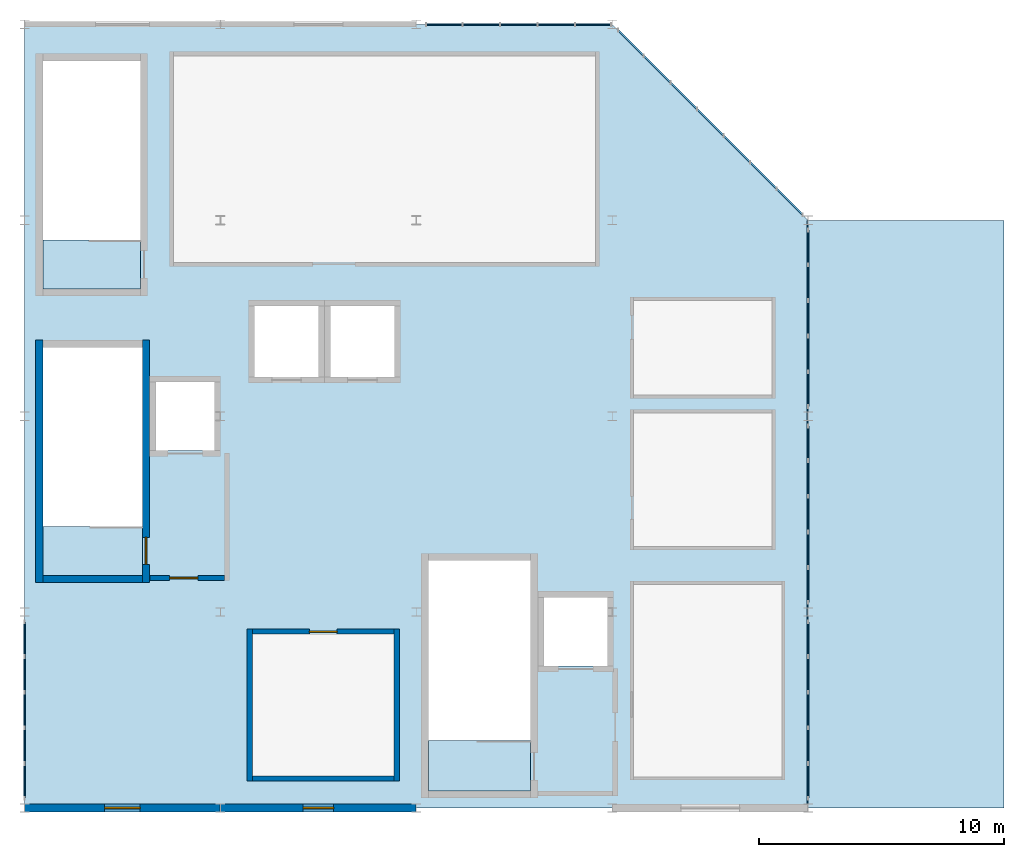
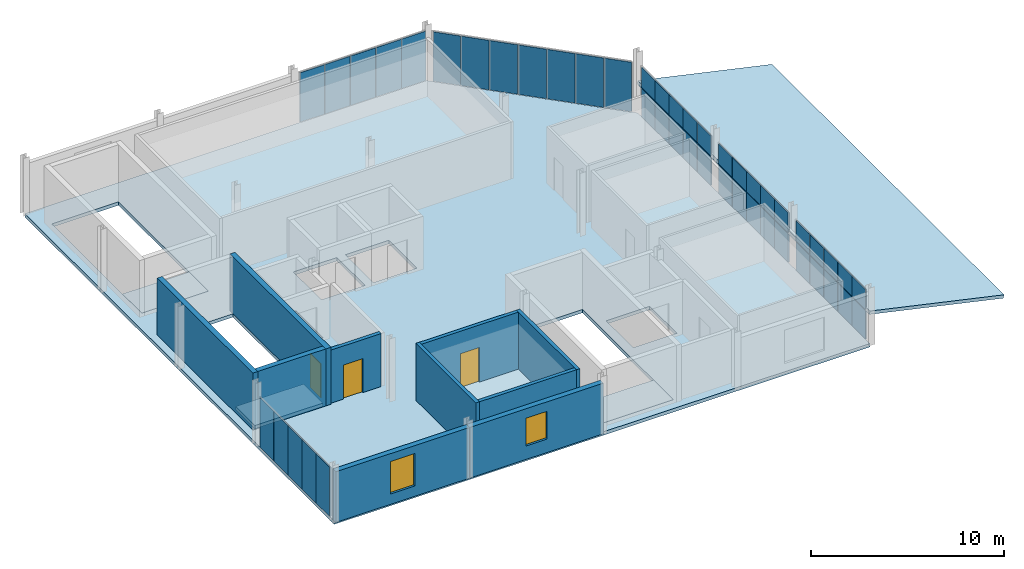
# One storey, part 4 of 7: 32 plates, 10 walls, 5 slabs, 3 doors, 2 windows, 5 openings, 6 elements without a shape of their own.
"""IFC4 building model written with IfcOpenShell, lengths in metres."""

from ifc_helpers import new_model, si_unit, direction, frame, frame_2d, origin, origin_2d, place, context, subcontext, project, spatial, polyline, rectangle, outline, extrude, material, layer, layer_set, type_object, element, fill, aggregate, save


model = new_model("IFC4")

# Units and contexts
model_context = context("Model", 3, precision=1e-05, world=origin(), true_north=direction((0.0, 1.0)))
body_context = subcontext(model_context, "Body", "Model", "MODEL_VIEW")
ifc_project = project(units=[si_unit("LENGTHUNIT", "METRE"), si_unit("AREAUNIT", "SQUARE_METRE"), si_unit("VOLUMEUNIT", "CUBIC_METRE"), si_unit("PLANEANGLEUNIT", "RADIAN"), si_unit("MASSUNIT", "GRAM", prefix="KILO")], contexts=[model_context])

# Site, building, storey
site_placement = place(None, origin())
site = spatial("IfcSite", under=ifc_project, at=site_placement, CompositionType="ELEMENT")
building_placement = place(site_placement, origin())
building = spatial("IfcBuilding", under=site, at=building_placement, Name="Drelvath Fold Interchange", CompositionType="ELEMENT")
storey_placement = place(building_placement, frame((0.0, 0.0, 24.0)))
storey = spatial("IfcBuildingStorey", under=building, at=storey_placement, Name="L05", CompositionType="ELEMENT", Elevation=24.0)

# Curtain wall, plates
ifc_material_1 = material(Name="Anodized Aluminium 6063-T6", Category="aluminium")
curtain_wall_type_1 = type_object("IfcCurtainWallType", Name="CW-OPS-UPP", PredefinedType="USERDEFINED", material=ifc_material_1)
curtain_wall_1_placement = place(storey_placement, origin())
curtain_wall_1 = element("IfcCurtainWall", 1, at=curtain_wall_1_placement, inside=storey, type_object=curtain_wall_type_1, Name="Curtain wall CW-V5-L05-W3", ObjectType="UNITISED CURTAIN WALL", PredefinedType="USERDEFINED")
ifc_material_2 = material(Name="Low-Iron Insulated Laminated Glass", Category="glass")
ifc_layer_1 = layer(ifc_material_2, 0.068115234375, Name="Low-Iron Insulated Laminated Glass")
ifc_layer_set_1 = layer_set([ifc_layer_1], Name="Low-Iron Insulated Laminated Glass")
plate_type = type_object("IfcPlateType", Name="CP-OPS-A", PredefinedType="CURTAIN_PANEL", material=ifc_layer_set_1)
plate_1_placement = place(storey_placement, frame((4.0, 4.10791015625, 0.0400390625), z_axis=(0.0, 0.0, 1.0), x_axis=(0.0, 1.0, 0.0)))
plate_1 = element("IfcPlate", 2, at=plate_1_placement, type_object=plate_type, Name="CW-V5-L05-W3 glazed panel 0-0", PredefinedType="CURTAIN_PANEL", context=body_context, shape_type="SweptSolid", body=[
    extrude(rectangle(XDim=1.39599609375, YDim=0.068115234375, at=origin_2d()), origin(), (0.0, 0.0, 1.0), 3.1201171875),
])
plate_2_placement = place(storey_placement, frame((4.0, 5.5439453125, 0.0400390625), z_axis=(0.0, 0.0, 1.0), x_axis=(0.0, 1.0, 0.0)))
plate_2 = element("IfcPlate", 3, at=plate_2_placement, type_object=plate_type, Name="CW-V5-L05-W3 glazed panel 1-0", PredefinedType="CURTAIN_PANEL", context=body_context, shape_type="SweptSolid", body=[
    extrude(rectangle(XDim=1.43603515625, YDim=0.068115234375, at=origin_2d()), origin(), (0.0, 0.0, 1.0), 3.1201171875),
])
plate_3_placement = place(storey_placement, frame((4.0, 7.0, 0.0400390625), z_axis=(0.0, 0.0, 1.0), x_axis=(0.0, 1.0, 0.0)))
plate_3 = element("IfcPlate", 4, at=plate_3_placement, type_object=plate_type, Name="CW-V5-L05-W3 glazed panel 2-0", PredefinedType="CURTAIN_PANEL", context=body_context, shape_type="SweptSolid", body=[
    extrude(rectangle(XDim=1.43603515625, YDim=0.068115234375, at=origin_2d()), origin(), (0.0, 0.0, 1.0), 3.1201171875),
])
plate_4_placement = place(storey_placement, frame((4.0, 8.4560546875, 0.0400390625), z_axis=(0.0, 0.0, 1.0), x_axis=(0.0, 1.0, 0.0)))
plate_4 = element("IfcPlate", 5, at=plate_4_placement, type_object=plate_type, Name="CW-V5-L05-W3 glazed panel 3-0", PredefinedType="CURTAIN_PANEL", context=body_context, shape_type="SweptSolid", body=[
    extrude(rectangle(XDim=1.43603515625, YDim=0.068115234375, at=origin_2d()), origin(), (0.0, 0.0, 1.0), 3.1201171875),
])
plate_5_placement = place(storey_placement, frame((4.0, 9.89208984375, 0.0400390625), z_axis=(0.0, 0.0, 1.0), x_axis=(0.0, 1.0, 0.0)))
plate_5 = element("IfcPlate", 6, at=plate_5_placement, type_object=plate_type, Name="CW-V5-L05-W3 glazed panel 4-0", PredefinedType="CURTAIN_PANEL", context=body_context, shape_type="SweptSolid", body=[
    extrude(rectangle(XDim=1.39599609375, YDim=0.068115234375, at=origin_2d()), origin(), (0.0, 0.0, 1.0), 3.1201171875),
])
aggregate(curtain_wall_1, [plate_1, plate_2, plate_3, plate_4, plate_5])

curtain_wall_2_placement = place(storey_placement, origin())
curtain_wall_2 = element("IfcCurtainWall", 7, at=curtain_wall_2_placement, inside=storey, type_object=curtain_wall_type_1, Name="Curtain wall CW-V5-L05-E3", ObjectType="UNITISED CURTAIN WALL", PredefinedType="USERDEFINED")
plate_6_placement = place(storey_placement, frame((36.0, 4.10791015625, 0.0400390625), z_axis=(0.0, 0.0, 1.0), x_axis=(0.0, 1.0, 0.0)))
plate_6 = element("IfcPlate", 8, at=plate_6_placement, type_object=plate_type, Name="CW-V5-L05-E3 glazed panel 0-0", PredefinedType="CURTAIN_PANEL", context=body_context, shape_type="SweptSolid", body=[
    extrude(rectangle(XDim=1.39599609375, YDim=0.068115234375, at=origin_2d()), origin(), (0.0, 0.0, 1.0), 3.1201171875),
])
plate_7_placement = place(storey_placement, frame((36.0, 5.5439453125, 0.0400390625), z_axis=(0.0, 0.0, 1.0), x_axis=(0.0, 1.0, 0.0)))
plate_7 = element("IfcPlate", 9, at=plate_7_placement, type_object=plate_type, Name="CW-V5-L05-E3 glazed panel 1-0", PredefinedType="CURTAIN_PANEL", context=body_context, shape_type="SweptSolid", body=[
    extrude(rectangle(XDim=1.43603515625, YDim=0.068115234375, at=origin_2d()), origin(), (0.0, 0.0, 1.0), 3.1201171875),
])
plate_8_placement = place(storey_placement, frame((36.0, 7.0, 0.0400390625), z_axis=(0.0, 0.0, 1.0), x_axis=(0.0, 1.0, 0.0)))
plate_8 = element("IfcPlate", 10, at=plate_8_placement, type_object=plate_type, Name="CW-V5-L05-E3 glazed panel 2-0", PredefinedType="CURTAIN_PANEL", context=body_context, shape_type="SweptSolid", body=[
    extrude(rectangle(XDim=1.43603515625, YDim=0.068115234375, at=origin_2d()), origin(), (0.0, 0.0, 1.0), 3.1201171875),
])
plate_9_placement = place(storey_placement, frame((36.0, 8.4560546875, 0.0400390625), z_axis=(0.0, 0.0, 1.0), x_axis=(0.0, 1.0, 0.0)))
plate_9 = element("IfcPlate", 11, at=plate_9_placement, type_object=plate_type, Name="CW-V5-L05-E3 glazed panel 3-0", PredefinedType="CURTAIN_PANEL", context=body_context, shape_type="SweptSolid", body=[
    extrude(rectangle(XDim=1.43603515625, YDim=0.068115234375, at=origin_2d()), origin(), (0.0, 0.0, 1.0), 3.1201171875),
])
plate_10_placement = place(storey_placement, frame((36.0, 9.89208984375, 0.0400390625), z_axis=(0.0, 0.0, 1.0), x_axis=(0.0, 1.0, 0.0)))
plate_10 = element("IfcPlate", 12, at=plate_10_placement, type_object=plate_type, Name="CW-V5-L05-E3 glazed panel 4-0", PredefinedType="CURTAIN_PANEL", context=body_context, shape_type="SweptSolid", body=[
    extrude(rectangle(XDim=1.39599609375, YDim=0.068115234375, at=origin_2d()), origin(), (0.0, 0.0, 1.0), 3.1201171875),
])
aggregate(curtain_wall_2, [plate_6, plate_7, plate_8, plate_9, plate_10])

curtain_wall_3_placement = place(storey_placement, origin())
curtain_wall_3 = element("IfcCurtainWall", 13, at=curtain_wall_3_placement, inside=storey, type_object=curtain_wall_type_1, Name="Curtain wall CW-V5-L05-E11", ObjectType="UNITISED CURTAIN WALL", PredefinedType="USERDEFINED")
plate_11_placement = place(storey_placement, frame((36.0, 12.10791015625, 0.0400390625), z_axis=(0.0, 0.0, 1.0), x_axis=(0.0, 1.0, 0.0)))
plate_11 = element("IfcPlate", 14, at=plate_11_placement, type_object=plate_type, Name="CW-V5-L05-E11 glazed panel 0-0", PredefinedType="CURTAIN_PANEL", context=body_context, shape_type="SweptSolid", body=[
    extrude(rectangle(XDim=1.39599609375, YDim=0.068115234375, at=origin_2d()), origin(), (0.0, 0.0, 1.0), 3.1201171875),
])
plate_12_placement = place(storey_placement, frame((36.0, 13.5439453125, 0.0400390625), z_axis=(0.0, 0.0, 1.0), x_axis=(0.0, 1.0, 0.0)))
plate_12 = element("IfcPlate", 15, at=plate_12_placement, type_object=plate_type, Name="CW-V5-L05-E11 glazed panel 1-0", PredefinedType="CURTAIN_PANEL", context=body_context, shape_type="SweptSolid", body=[
    extrude(rectangle(XDim=1.43603515625, YDim=0.068115234375, at=origin_2d()), origin(), (0.0, 0.0, 1.0), 3.1201171875),
])
plate_13_placement = place(storey_placement, frame((36.0, 15.0, 0.0400390625), z_axis=(0.0, 0.0, 1.0), x_axis=(0.0, 1.0, 0.0)))
plate_13 = element("IfcPlate", 16, at=plate_13_placement, type_object=plate_type, Name="CW-V5-L05-E11 glazed panel 2-0", PredefinedType="CURTAIN_PANEL", context=body_context, shape_type="SweptSolid", body=[
    extrude(rectangle(XDim=1.43603515625, YDim=0.068115234375, at=origin_2d()), origin(), (0.0, 0.0, 1.0), 3.1201171875),
])
plate_14_placement = place(storey_placement, frame((36.0, 16.4560546875, 0.0400390625), z_axis=(0.0, 0.0, 1.0), x_axis=(0.0, 1.0, 0.0)))
plate_14 = element("IfcPlate", 17, at=plate_14_placement, type_object=plate_type, Name="CW-V5-L05-E11 glazed panel 3-0", PredefinedType="CURTAIN_PANEL", context=body_context, shape_type="SweptSolid", body=[
    extrude(rectangle(XDim=1.43603515625, YDim=0.068115234375, at=origin_2d()), origin(), (0.0, 0.0, 1.0), 3.1201171875),
])
plate_15_placement = place(storey_placement, frame((36.0, 17.89208984375, 0.0400390625), z_axis=(0.0, 0.0, 1.0), x_axis=(0.0, 1.0, 0.0)))
plate_15 = element("IfcPlate", 18, at=plate_15_placement, type_object=plate_type, Name="CW-V5-L05-E11 glazed panel 4-0", PredefinedType="CURTAIN_PANEL", context=body_context, shape_type="SweptSolid", body=[
    extrude(rectangle(XDim=1.39599609375, YDim=0.068115234375, at=origin_2d()), origin(), (0.0, 0.0, 1.0), 3.1201171875),
])
aggregate(curtain_wall_3, [plate_11, plate_12, plate_13, plate_14, plate_15])

curtain_wall_4_placement = place(storey_placement, origin())
curtain_wall_4 = element("IfcCurtainWall", 19, at=curtain_wall_4_placement, inside=storey, type_object=curtain_wall_type_1, Name="Curtain wall CW-V5-L05-E19", ObjectType="UNITISED CURTAIN WALL", PredefinedType="USERDEFINED")
plate_16_placement = place(storey_placement, frame((36.0, 20.10791015625, 0.0400390625), z_axis=(0.0, 0.0, 1.0), x_axis=(0.0, 1.0, 0.0)))
plate_16 = element("IfcPlate", 20, at=plate_16_placement, type_object=plate_type, Name="CW-V5-L05-E19 glazed panel 0-0", PredefinedType="CURTAIN_PANEL", context=body_context, shape_type="SweptSolid", body=[
    extrude(rectangle(XDim=1.39599609375, YDim=0.068115234375, at=origin_2d()), origin(), (0.0, 0.0, 1.0), 3.1201171875),
])
plate_17_placement = place(storey_placement, frame((36.0, 21.5439453125, 0.0400390625), z_axis=(0.0, 0.0, 1.0), x_axis=(0.0, 1.0, 0.0)))
plate_17 = element("IfcPlate", 21, at=plate_17_placement, type_object=plate_type, Name="CW-V5-L05-E19 glazed panel 1-0", PredefinedType="CURTAIN_PANEL", context=body_context, shape_type="SweptSolid", body=[
    extrude(rectangle(XDim=1.43603515625, YDim=0.068115234375, at=origin_2d()), origin(), (0.0, 0.0, 1.0), 3.1201171875),
])
plate_18_placement = place(storey_placement, frame((36.0, 23.0, 0.0400390625), z_axis=(0.0, 0.0, 1.0), x_axis=(0.0, 1.0, 0.0)))
plate_18 = element("IfcPlate", 22, at=plate_18_placement, type_object=plate_type, Name="CW-V5-L05-E19 glazed panel 2-0", PredefinedType="CURTAIN_PANEL", context=body_context, shape_type="SweptSolid", body=[
    extrude(rectangle(XDim=1.43603515625, YDim=0.068115234375, at=origin_2d()), origin(), (0.0, 0.0, 1.0), 3.1201171875),
])
plate_19_placement = place(storey_placement, frame((36.0, 24.4560546875, 0.0400390625), z_axis=(0.0, 0.0, 1.0), x_axis=(0.0, 1.0, 0.0)))
plate_19 = element("IfcPlate", 23, at=plate_19_placement, type_object=plate_type, Name="CW-V5-L05-E19 glazed panel 3-0", PredefinedType="CURTAIN_PANEL", context=body_context, shape_type="SweptSolid", body=[
    extrude(rectangle(XDim=1.43603515625, YDim=0.068115234375, at=origin_2d()), origin(), (0.0, 0.0, 1.0), 3.1201171875),
])
plate_20_placement = place(storey_placement, frame((36.0, 25.89208984375, 0.0400390625), z_axis=(0.0, 0.0, 1.0), x_axis=(0.0, 1.0, 0.0)))
plate_20 = element("IfcPlate", 24, at=plate_20_placement, type_object=plate_type, Name="CW-V5-L05-E19 glazed panel 4-0", PredefinedType="CURTAIN_PANEL", context=body_context, shape_type="SweptSolid", body=[
    extrude(rectangle(XDim=1.39599609375, YDim=0.068115234375, at=origin_2d()), origin(), (0.0, 0.0, 1.0), 3.1201171875),
])
aggregate(curtain_wall_4, [plate_16, plate_17, plate_18, plate_19, plate_20])

curtain_wall_type_2 = type_object("IfcCurtainWallType", Name="CW-OPS-CHM", PredefinedType="USERDEFINED", material=ifc_material_1)
curtain_wall_5_placement = place(storey_placement, origin())
curtain_wall_5 = element("IfcCurtainWall", 25, at=curtain_wall_5_placement, inside=storey, type_object=curtain_wall_type_2, Name="Curtain wall CW-V5-L05-CHM", ObjectType="UNITISED CURTAIN WALL", PredefinedType="USERDEFINED")
plate_21_placement = place(storey_placement, frame((35.242919921875, 27.757080078125, 0.0400390625), z_axis=(0.0, 0.0, 1.0), x_axis=(-0.707106781187, 0.707106781187, 0.0)))
plate_21 = element("IfcPlate", 26, at=plate_21_placement, type_object=plate_type, Name="CW-V5-L05-CHM glazed panel 0-0", PredefinedType="CURTAIN_PANEL", context=body_context, shape_type="SweptSolid", body=[
    extrude(rectangle(XDim=1.47509765625, YDim=0.068115234375, at=origin_2d()), origin(), (0.0, 0.0, 1.0), 3.1201171875),
])
plate_22_placement = place(storey_placement, frame((34.1708984375, 28.8291015625, 0.0400390625), z_axis=(0.0, 0.0, 1.0), x_axis=(-0.707106781187, 0.707106781187, 0.0)))
plate_22 = element("IfcPlate", 27, at=plate_22_placement, type_object=plate_type, Name="CW-V5-L05-CHM glazed panel 1-0", PredefinedType="CURTAIN_PANEL", context=body_context, shape_type="SweptSolid", body=[
    extrude(rectangle(XDim=1.514892578125, YDim=0.068115234375, at=origin_2d()), origin(), (0.0, 0.0, 1.0), 3.1201171875),
])
plate_23_placement = place(storey_placement, frame((33.0859375, 29.9140625, 0.0400390625), z_axis=(0.0, 0.0, 1.0), x_axis=(-0.707106781187, 0.707106781187, 0.0)))
plate_23 = element("IfcPlate", 28, at=plate_23_placement, type_object=plate_type, Name="CW-V5-L05-CHM glazed panel 2-0", PredefinedType="CURTAIN_PANEL", context=body_context, shape_type="SweptSolid", body=[
    extrude(rectangle(XDim=1.514892578125, YDim=0.068115234375, at=origin_2d()), origin(), (0.0, 0.0, 1.0), 3.1201171875),
])
plate_24_placement = place(storey_placement, frame((32.0, 31.0, 0.0400390625), z_axis=(0.0, 0.0, 1.0), x_axis=(-0.707106781187, 0.707106781187, 0.0)))
plate_24 = element("IfcPlate", 29, at=plate_24_placement, type_object=plate_type, Name="CW-V5-L05-CHM glazed panel 3-0", PredefinedType="CURTAIN_PANEL", context=body_context, shape_type="SweptSolid", body=[
    extrude(rectangle(XDim=1.514892578125, YDim=0.068115234375, at=origin_2d()), origin(), (0.0, 0.0, 1.0), 3.1201171875),
])
plate_25_placement = place(storey_placement, frame((30.9140625, 32.0859375, 0.0400390625), z_axis=(0.0, 0.0, 1.0), x_axis=(-0.707106781187, 0.707106781187, 0.0)))
plate_25 = element("IfcPlate", 30, at=plate_25_placement, type_object=plate_type, Name="CW-V5-L05-CHM glazed panel 4-0", PredefinedType="CURTAIN_PANEL", context=body_context, shape_type="SweptSolid", body=[
    extrude(rectangle(XDim=1.514892578125, YDim=0.068115234375, at=origin_2d()), origin(), (0.0, 0.0, 1.0), 3.1201171875),
])
plate_26_placement = place(storey_placement, frame((29.8291015625, 33.1708984375, 0.0400390625), z_axis=(0.0, 0.0, 1.0), x_axis=(-0.707106781187, 0.707106781187, 0.0)))
plate_26 = element("IfcPlate", 31, at=plate_26_placement, type_object=plate_type, Name="CW-V5-L05-CHM glazed panel 5-0", PredefinedType="CURTAIN_PANEL", context=body_context, shape_type="SweptSolid", body=[
    extrude(rectangle(XDim=1.514892578125, YDim=0.068115234375, at=origin_2d()), origin(), (0.0, 0.0, 1.0), 3.1201171875),
])
plate_27_placement = place(storey_placement, frame((28.757080078125, 34.242919921875, 0.0400390625), z_axis=(0.0, 0.0, 1.0), x_axis=(-0.707106781187, 0.707106781187, 0.0)))
plate_27 = element("IfcPlate", 32, at=plate_27_placement, type_object=plate_type, Name="CW-V5-L05-CHM glazed panel 6-0", PredefinedType="CURTAIN_PANEL", context=body_context, shape_type="SweptSolid", body=[
    extrude(rectangle(XDim=1.47509765625, YDim=0.068115234375, at=origin_2d()), origin(), (0.0, 0.0, 1.0), 3.1201171875),
])
aggregate(curtain_wall_5, [plate_21, plate_22, plate_23, plate_24, plate_25, plate_26, plate_27])

curtain_wall_6_placement = place(storey_placement, origin())
curtain_wall_6 = element("IfcCurtainWall", 33, at=curtain_wall_6_placement, inside=storey, type_object=curtain_wall_type_1, Name="Curtain wall CW-V5-L05-N20", ObjectType="UNITISED CURTAIN WALL", PredefinedType="USERDEFINED")
plate_28_placement = place(storey_placement, frame((21.14404296875, 35.0, 0.0400390625), z_axis=(0.0, 0.0, 1.0), x_axis=(1.0, 0.0, 0.0)))
plate_28 = element("IfcPlate", 34, at=plate_28_placement, type_object=plate_type, Name="CW-V5-L05-N20 glazed panel 0-0", PredefinedType="CURTAIN_PANEL", context=body_context, shape_type="SweptSolid", body=[
    extrude(rectangle(XDim=1.468017578125, YDim=0.068115234375, at=origin_2d()), origin(), (0.0, 0.0, 1.0), 3.1201171875),
])
plate_29_placement = place(storey_placement, frame((22.652099609375, 35.0, 0.0400390625), z_axis=(0.0, 0.0, 1.0), x_axis=(1.0, 0.0, 0.0)))
plate_29 = element("IfcPlate", 35, at=plate_29_placement, type_object=plate_type, Name="CW-V5-L05-N20 glazed panel 1-0", PredefinedType="CURTAIN_PANEL", context=body_context, shape_type="SweptSolid", body=[
    extrude(rectangle(XDim=1.508056640625, YDim=0.068115234375, at=origin_2d()), origin(), (0.0, 0.0, 1.0), 3.1201171875),
])
plate_30_placement = place(storey_placement, frame((24.179931640625, 35.0, 0.0400390625), z_axis=(0.0, 0.0, 1.0), x_axis=(1.0, 0.0, 0.0)))
plate_30 = element("IfcPlate", 36, at=plate_30_placement, type_object=plate_type, Name="CW-V5-L05-N20 glazed panel 2-0", PredefinedType="CURTAIN_PANEL", context=body_context, shape_type="SweptSolid", body=[
    extrude(rectangle(XDim=1.508056640625, YDim=0.068115234375, at=origin_2d()), origin(), (0.0, 0.0, 1.0), 3.1201171875),
])
plate_31_placement = place(storey_placement, frame((25.7080078125, 35.0, 0.0400390625), z_axis=(0.0, 0.0, 1.0), x_axis=(1.0, 0.0, 0.0)))
plate_31 = element("IfcPlate", 37, at=plate_31_placement, type_object=plate_type, Name="CW-V5-L05-N20 glazed panel 3-0", PredefinedType="CURTAIN_PANEL", context=body_context, shape_type="SweptSolid", body=[
    extrude(rectangle(XDim=1.508056640625, YDim=0.068115234375, at=origin_2d()), origin(), (0.0, 0.0, 1.0), 3.1201171875),
])
plate_32_placement = place(storey_placement, frame((27.216064453125, 35.0, 0.0400390625), z_axis=(0.0, 0.0, 1.0), x_axis=(1.0, 0.0, 0.0)))
plate_32 = element("IfcPlate", 38, at=plate_32_placement, type_object=plate_type, Name="CW-V5-L05-N20 glazed panel 4-0", PredefinedType="CURTAIN_PANEL", context=body_context, shape_type="SweptSolid", body=[
    extrude(rectangle(XDim=1.468017578125, YDim=0.068115234375, at=origin_2d()), origin(), (0.0, 0.0, 1.0), 3.1201171875),
])
aggregate(curtain_wall_6, [plate_28, plate_29, plate_30, plate_31, plate_32])

# Slabs
ifc_material_3 = material(Name="Concrete f'c 35 MPa (5000 psi)", Category="concrete")
ifc_layer_2 = layer(ifc_material_3, 0.215087890625, Name="Concrete f'c 35 MPa (5000 psi)")
ifc_layer_set_2 = layer_set([ifc_layer_2], Name="Concrete f'c 35 MPa (5000 psi)")
slab_type_1 = type_object("IfcSlabType", Name="FS-UP5", PredefinedType="FLOOR", material=ifc_layer_set_2)
slab_1_placement = place(storey_placement, frame((0.0, 0.0, -0.215087890625)))
element("IfcSlab", 39, at=slab_1_placement, inside=storey, type_object=slab_type_1, Name="L05 structural slab SL-L05-V5", PredefinedType="FLOOR", context=body_context, shape_type="SweptSolid", body=[
    extrude(outline(polyline([(4.0, 3.0), (36.0, 3.0), (36.0, 27.0), (28.0, 35.0), (4.0, 35.0), (4.0, 3.0)]), holes=[polyline([(4.75, 12.5), (4.75, 21.800048828125), (8.81005859375, 21.800048828125), (8.81005859375, 12.5), (4.75, 12.5)]), polyline([(4.75, 24.199951171875), (4.75, 33.5), (8.72998046875, 33.5), (8.72998046875, 24.199951171875), (4.75, 24.199951171875)]), polyline([(20.5, 3.699951171875), (20.5, 13.10009765625), (24.659912109375, 13.10009765625), (24.659912109375, 3.699951171875), (20.5, 3.699951171875)]), polyline([(9.360107421875, 17.60009765625), (9.360107421875, 20.39990234375), (11.760009765625, 20.39990234375), (11.760009765625, 17.60009765625), (9.360107421875, 17.60009765625)]), polyline([(25.2099609375, 8.800048828125), (25.2099609375, 11.60009765625), (27.81005859375, 11.60009765625), (27.81005859375, 8.800048828125), (25.2099609375, 8.800048828125)]), polyline([(13.39990234375, 20.60009765625), (13.39990234375, 23.5), (16.0, 23.5), (16.0, 20.60009765625), (13.39990234375, 20.60009765625)]), polyline([(16.5, 20.60009765625), (16.5, 23.5), (19.10009765625, 23.5), (19.10009765625, 20.60009765625), (16.5, 20.60009765625)])]), origin(), (0.0, 0.0, 1.0), 0.215087890625),
])
slab_2_placement = place(storey_placement, frame((0.0, 0.0, -0.215087890625)))
element("IfcSlab", 40, at=slab_2_placement, inside=storey, type_object=slab_type_1, Name="ST-01 L05 stair floor landing slab", PredefinedType="FLOOR", context=body_context, shape_type="SweptSolid", body=[
    extrude(outline(polyline([(4.75, 12.5), (8.81005859375, 12.5), (8.81005859375, 14.5), (4.75, 14.5), (4.75, 12.5)])), origin(), (0.0, 0.0, 1.0), 0.215087890625),
])
slab_3_placement = place(storey_placement, frame((0.0, 0.0, -0.215087890625)))
element("IfcSlab", 41, at=slab_3_placement, inside=storey, type_object=slab_type_1, Name="ST-02 L05 stair floor landing slab", PredefinedType="FLOOR", context=body_context, shape_type="SweptSolid", body=[
    extrude(outline(polyline([(4.75, 24.199951171875), (8.72998046875, 24.199951171875), (8.72998046875, 26.199951171875), (4.75, 26.199951171875), (4.75, 24.199951171875)])), origin(), (0.0, 0.0, 1.0), 0.215087890625),
])
slab_4_placement = place(storey_placement, frame((0.0, 0.0, -0.215087890625)))
element("IfcSlab", 42, at=slab_4_placement, inside=storey, type_object=slab_type_1, Name="ST-03 L05 stair floor landing slab", PredefinedType="FLOOR", context=body_context, shape_type="SweptSolid", body=[
    extrude(outline(polyline([(20.5, 3.699951171875), (24.659912109375, 3.699951171875), (24.659912109375, 5.75), (20.5, 5.75), (20.5, 3.699951171875)])), origin(), (0.0, 0.0, 1.0), 0.215087890625),
])
ifc_layer_3 = layer(ifc_material_3, 0.205078125, Name="Concrete f'c 35 MPa (5000 psi)")
ifc_layer_set_3 = layer_set([ifc_layer_3], Name="Concrete f'c 35 MPa (5000 psi)")
slab_type_2 = type_object("IfcSlabType", Name="RF-CR1", PredefinedType="ROOF", material=ifc_layer_set_3)
slab_5_placement = place(storey_placement, frame((36.0, 3.0, 2.050048828125), z_axis=(0.216510872278, 0.0, 0.976280206798), x_axis=(0.976280206798, 0.0, -0.216510872278)))
element("IfcSlab", 43, at=slab_5_placement, inside=storey, type_object=slab_type_2, Name="Operations L05 east sloped roof", PredefinedType="ROOF", context=body_context, shape_type="SweptSolid", body=[
    extrude(outline(polyline([(0.0, 0.0), (8.194368731738031, 0.0), (8.194368731738031, 24.0), (0.0, 24.0), (0.0, 0.0)])), origin(), (0.0, 0.0, -1.0), 0.205078125),
])

# Wall
ifc_material_4 = material(Name="Concrete f'c 45 MPa (6500 psi)", Category="concrete")
ifc_layer_4 = layer(ifc_material_4, 0.300048828125, Name="Concrete f'c 45 MPa (6500 psi)")
ifc_layer_set_4 = layer_set([ifc_layer_4], Name="Concrete f'c 45 MPa (6500 psi)")
wall_type_1 = type_object("IfcWallType", Name="WL-CR300", PredefinedType="SHEAR", material=ifc_layer_set_4)
wall_1_placement = place(storey_placement, frame((4.75, 12.35009765625, 0.0), z_axis=(0.0, 0.0, 1.0), x_axis=(1.0, 0.0, 0.0)))
element("IfcWall", 44, at=wall_1_placement, inside=storey, type_object=wall_type_1, Name="ST-01 L05 south core wall", PredefinedType="SHEAR", context=body_context, shape_type="SweptSolid", body=[
    extrude(rectangle(XDim=4.06005859375, YDim=0.300048828125, at=frame_2d((2.030029296875, 0.0))), origin(), (0.0, 0.0, 1.0), 3.60009765625),
])

# Wall, opening, door
wall_2_placement = place(storey_placement, frame((8.9599609375, 12.199951171875, 0.0), z_axis=(0.0, 0.0, 1.0), x_axis=(0.0, 1.0, 0.0)))
wall_2 = element("IfcWall", 45, at=wall_2_placement, inside=storey, type_object=wall_type_1, Name="ST-01 L05 east core wall", PredefinedType="SHEAR", context=body_context, shape_type="SweptSolid", body=[
    extrude(rectangle(XDim=9.900146484375, YDim=0.300048828125, at=frame_2d((4.9501953125, 0.0))), origin(), (0.0, 0.0, 1.0), 3.60009765625),
])
opening_1_placement = place(wall_2_placement, frame((0.75, 0.0, 0.0)))
opening_1 = element("IfcOpeningElement", 46, at=opening_1_placement, cuts=wall_2, Name="Opening D-L05-008", PredefinedType="OPENING", context=body_context, shape_type="SweptSolid", body=[
    extrude(rectangle(XDim=1.10009765625, YDim=2.14990234375, at=frame_2d((0.550048828125, 1.074951171875))), frame((0.0, 0.159912109375, 0.0), z_axis=(0.0, -1.0, 0.0), x_axis=(1.0, 0.0, 0.0)), (0.0, 0.0, 1.0), 0.320068359375),
])
ifc_material_5 = material(Name="Insulated Hollow Metal Door Assembly")
door_type_1 = type_object("IfcDoorType", Name="DR-ST1100", OperationType="NOTDEFINED", PredefinedType="DOOR", material=ifc_material_5)
door_1_placement = place(opening_1_placement, origin())
door_1 = element("IfcDoor", 47, at=door_1_placement, inside=storey, type_object=door_type_1, Name="ST-01 L05 stair fire door D-L05-008", OperationType="SINGLE_SWING_RIGHT", OverallHeight=2.14990234375, OverallWidth=1.10009765625, PredefinedType="DOOR", context=body_context, shape_type="SweptSolid", body=[
    extrude(rectangle(XDim=1.10009765625, YDim=2.14990234375, at=frame_2d((0.550048828125, 1.074951171875))), frame((0.0, 0.02490234375, 0.0), z_axis=(0.0, -1.0, 0.0), x_axis=(1.0, 0.0, 0.0)), (0.0, 0.0, 1.0), 0.050048828125),
])
fill(opening_1, door_1)

# Wall
wall_3_placement = place(storey_placement, frame((4.60009765625, 22.10009765625, 0.0), z_axis=(0.0, 0.0, 1.0), x_axis=(0.0, -1.0, 0.0)))
element("IfcWall", 48, at=wall_3_placement, inside=storey, type_object=wall_type_1, Name="ST-01 L05 west core wall", PredefinedType="SHEAR", context=body_context, shape_type="SweptSolid", body=[
    extrude(rectangle(XDim=9.900146484375, YDim=0.300048828125, at=frame_2d((4.9501953125, 0.0))), origin(), (0.0, 0.0, 1.0), 3.60009765625),
])

# Wall, opening, window
ifc_material_6 = material(Name="Precast concrete f'c 40 MPa (6000 psi)", Category="concrete")
ifc_layer_5 = layer(ifc_material_6, 0.31494140625, Name="Precast concrete f'c 40 MPa (6000 psi)")
ifc_layer_set_5 = layer_set([ifc_layer_5], Name="Precast concrete f'c 40 MPa (6000 psi)")
wall_type_2 = type_object("IfcWallType", Name="WL-EXT315", PredefinedType="SOLIDWALL", material=ifc_layer_set_5)
wall_4_placement = place(storey_placement, frame((4.008056640625, 3.0, 0.0), z_axis=(0.0, 0.0, 1.0), x_axis=(1.0, 0.0, 0.0)))
wall_4 = element("IfcWall", 49, at=wall_4_placement, inside=storey, type_object=wall_type_2, Name="L05 exterior facade wall 80", PredefinedType="SOLIDWALL", context=body_context, shape_type="SweptSolid", body=[
    extrude(rectangle(XDim=7.98388671875, YDim=0.31494140625, at=frame_2d((3.991943359375, 0.0))), origin(), (0.0, 0.0, 1.0), 3.199951171875),
])
opening_2_placement = place(wall_4_placement, frame((3.26708984375, 0.0, 0.64990234375)))
opening_2 = element("IfcOpeningElement", 50, at=opening_2_placement, cuts=wall_4, Name="Opening W-L05-071", PredefinedType="OPENING", context=body_context, shape_type="SweptSolid", body=[
    extrude(rectangle(XDim=1.449951171875, YDim=2.050048828125, at=frame_2d((0.72509765625, 1.02490234375))), frame((0.0, 0.16748046875, 0.0), z_axis=(0.0, -1.0, 0.0), x_axis=(1.0, 0.0, 0.0)), (0.0, 0.0, 1.0), 0.3349609375),
])
window_type_1 = type_object("IfcWindowType", Name="WN-145x205", PartitioningType="SINGLE_PANEL", PredefinedType="WINDOW", material=ifc_material_2)
window_1_placement = place(opening_2_placement, origin())
window_1 = element("IfcWindow", 51, at=window_1_placement, inside=storey, type_object=window_type_1, Name="Facade window W-L05-071", OverallHeight=2.050048828125, OverallWidth=1.449951171875, PartitioningType="SINGLE_PANEL", PredefinedType="WINDOW", context=body_context, shape_type="SweptSolid", body=[
    extrude(rectangle(XDim=1.449951171875, YDim=2.050048828125, at=frame_2d((0.72509765625, 1.02490234375))), frame((0.0, 0.030029296875, 0.0), z_axis=(0.0, -1.0, 0.0), x_axis=(1.0, 0.0, 0.0)), (0.0, 0.0, 1.0), 0.06005859375),
])
fill(opening_2, window_1)

wall_5_placement = place(storey_placement, frame((12.008056640625, 3.0, 0.0), z_axis=(0.0, 0.0, 1.0), x_axis=(1.0, 0.0, 0.0)))
wall_5 = element("IfcWall", 52, at=wall_5_placement, inside=storey, type_object=wall_type_2, Name="L05 exterior facade wall 81", PredefinedType="SOLIDWALL", context=body_context, shape_type="SweptSolid", body=[
    extrude(rectangle(XDim=7.98388671875, YDim=0.31494140625, at=frame_2d((3.991943359375, 0.0))), origin(), (0.0, 0.0, 1.0), 3.199951171875),
])
opening_3_placement = place(wall_5_placement, frame((3.366943359375, 0.0, 0.85009765625)))
opening_3 = element("IfcOpeningElement", 53, at=opening_3_placement, cuts=wall_5, Name="Opening W-L05-072", PredefinedType="OPENING", context=body_context, shape_type="SweptSolid", body=[
    extrude(rectangle(XDim=1.25, YDim=1.75, at=frame_2d((0.625, 0.875))), frame((0.0, 0.16748046875, 0.0), z_axis=(0.0, -1.0, 0.0), x_axis=(1.0, 0.0, 0.0)), (0.0, 0.0, 1.0), 0.3349609375),
])
window_type_2 = type_object("IfcWindowType", Name="WN-125x175", PartitioningType="SINGLE_PANEL", PredefinedType="WINDOW", material=ifc_material_2)
window_2_placement = place(opening_3_placement, origin())
window_2 = element("IfcWindow", 54, at=window_2_placement, inside=storey, type_object=window_type_2, Name="Facade window W-L05-072", OverallHeight=1.75, OverallWidth=1.25, PartitioningType="SINGLE_PANEL", PredefinedType="WINDOW", context=body_context, shape_type="SweptSolid", body=[
    extrude(rectangle(XDim=1.25, YDim=1.75, at=frame_2d((0.625, 0.875))), frame((0.0, 0.030029296875, 0.0), z_axis=(0.0, -1.0, 0.0), x_axis=(1.0, 0.0, 0.0)), (0.0, 0.0, 1.0), 0.06005859375),
])
fill(opening_3, window_2)

# Wall, opening, door
ifc_layer_6 = layer(ifc_material_4, 0.219970703125, Name="Concrete f'c 45 MPa (6500 psi)")
ifc_layer_set_6 = layer_set([ifc_layer_6], Name="Concrete f'c 45 MPa (6500 psi)")
wall_type_3 = type_object("IfcWallType", Name="WL-FF220", PredefinedType="SOLIDWALL", material=ifc_layer_set_6)
wall_6_placement = place(storey_placement, frame((9.1201171875, 12.389892578125, 0.0), z_axis=(0.0, 0.0, 1.0), x_axis=(1.0, 0.0, 0.0)))
wall_6 = element("IfcWall", 55, at=wall_6_placement, inside=storey, type_object=wall_type_3, Name="Firefighting Lift Lobby FF-1 L05 south rated wall", PredefinedType="SOLIDWALL", context=body_context, shape_type="SweptSolid", body=[
    extrude(rectangle(XDim=3.039794921875, YDim=0.219970703125, at=frame_2d((1.52001953125, 0.0))), origin(), (0.0, 0.0, 1.0), 3.35009765625),
])
opening_4_placement = place(wall_6_placement, frame((0.804931640625, 0.0, 0.0)))
opening_4 = element("IfcOpeningElement", 56, at=opening_4_placement, cuts=wall_6, Name="Opening D-L05-055", PredefinedType="OPENING", context=body_context, shape_type="SweptSolid", body=[
    extrude(rectangle(XDim=1.14990234375, YDim=2.14990234375, at=frame_2d((0.574951171875, 1.074951171875))), frame((0.0, 0.119873046875, 0.0), z_axis=(0.0, -1.0, 0.0), x_axis=(1.0, 0.0, 0.0)), (0.0, 0.0, 1.0), 0.239990234375),
])
door_type_2 = type_object("IfcDoorType", Name="DR-FF1150", OperationType="NOTDEFINED", PredefinedType="DOOR", material=ifc_material_5)
door_2_placement = place(opening_4_placement, frame((1.14990234375, 0.0, 0.0), z_axis=(0.0, 0.0, 1.0), x_axis=(-1.0, 0.0, 0.0)))
door_2 = element("IfcDoor", 57, at=door_2_placement, inside=storey, type_object=door_type_2, Name="Firefighting Lift Lobby FF-1 L05 corridor fire door D-L05-055", OperationType="SINGLE_SWING_LEFT", OverallHeight=2.14990234375, OverallWidth=1.14990234375, PredefinedType="DOOR", context=body_context, shape_type="SweptSolid", body=[
    extrude(rectangle(XDim=1.14990234375, YDim=2.14990234375, at=frame_2d((0.574951171875, 1.074951171875))), frame((0.0, 0.02490234375, 0.0), z_axis=(0.0, -1.0, 0.0), x_axis=(1.0, 0.0, 0.0)), (0.0, 0.0, 1.0), 0.050048828125),
])
fill(opening_4, door_2)

# Walls
ifc_layer_7 = layer(ifc_material_3, 0.2099609375, Name="Concrete f'c 35 MPa (5000 psi)")
ifc_layer_set_7 = layer_set([ifc_layer_7], Name="Concrete f'c 35 MPa (5000 psi)")
wall_type_4 = type_object("IfcWallType", Name="WL-FR210", PredefinedType="SOLIDWALL", material=ifc_layer_set_7)
wall_7_placement = place(storey_placement, frame((13.304931640625, 4.199951171875, 0.0), z_axis=(0.0, 0.0, 1.0), x_axis=(1.0, 0.0, 0.0)))
element("IfcWall", 58, at=wall_7_placement, inside=storey, type_object=wall_type_4, Name="Crown Dedicated AHU Plant Room S partition", PredefinedType="SOLIDWALL", context=body_context, shape_type="SweptSolid", body=[
    extrude(rectangle(XDim=5.7900390625, YDim=0.2099609375, at=frame_2d((2.89501953125, 0.0))), origin(), (0.0, 0.0, 1.0), 3.60009765625),
])
wall_8_placement = place(storey_placement, frame((19.199951171875, 4.094970703125, 0.0), z_axis=(0.0, 0.0, 1.0), x_axis=(0.0, 1.0, 0.0)))
element("IfcWall", 59, at=wall_8_placement, inside=storey, type_object=wall_type_4, Name="Crown Dedicated AHU Plant Room E partition", PredefinedType="SOLIDWALL", context=body_context, shape_type="SweptSolid", body=[
    extrude(rectangle(XDim=6.2099609375, YDim=0.2099609375, at=frame_2d((3.10498046875, 0.0))), origin(), (0.0, 0.0, 1.0), 3.60009765625),
])

# Wall, opening, door
wall_9_placement = place(storey_placement, frame((19.094970703125, 10.199951171875, 0.0), z_axis=(0.0, 0.0, 1.0), x_axis=(-1.0, 0.0, 0.0)))
wall_9 = element("IfcWall", 60, at=wall_9_placement, inside=storey, type_object=wall_type_4, Name="Crown Dedicated AHU Plant Room N partition", PredefinedType="SOLIDWALL", context=body_context, shape_type="SweptSolid", body=[
    extrude(rectangle(XDim=5.7900390625, YDim=0.2099609375, at=frame_2d((2.89501953125, 0.0))), origin(), (0.0, 0.0, 1.0), 3.60009765625),
])
opening_5_placement = place(wall_9_placement, frame((2.324951171875, 0.0, 0.0)))
opening_5 = element("IfcOpeningElement", 61, at=opening_5_placement, cuts=wall_9, Name="Opening D-L05-140", PredefinedType="OPENING", context=body_context, shape_type="SweptSolid", body=[
    extrude(rectangle(XDim=1.139892578125, YDim=2.179931640625, at=frame_2d((0.56982421875, 1.08984375))), frame((0.0, 0.114990234375, 0.0), z_axis=(0.0, -1.0, 0.0), x_axis=(1.0, 0.0, 0.0)), (0.0, 0.0, 1.0), 0.22998046875),
])
door_type_3 = type_object("IfcDoorType", Name="DR-FD114", OperationType="NOTDEFINED", PredefinedType="DOOR", material=ifc_material_5)
door_3_placement = place(opening_5_placement, frame((1.139892578125, 0.0, 0.0), z_axis=(0.0, 0.0, 1.0), x_axis=(-1.0, 0.0, 0.0)))
door_3 = element("IfcDoor", 62, at=door_3_placement, inside=storey, type_object=door_type_3, Name="Crown Dedicated AHU Plant Room door D-L05-140", OperationType="SINGLE_SWING_RIGHT", OverallHeight=2.179931640625, OverallWidth=1.139892578125, PredefinedType="DOOR", context=body_context, shape_type="SweptSolid", body=[
    extrude(rectangle(XDim=1.139892578125, YDim=2.179931640625, at=frame_2d((0.56982421875, 1.08984375))), frame((0.0, 0.02490234375, 0.0), z_axis=(0.0, -1.0, 0.0), x_axis=(1.0, 0.0, 0.0)), (0.0, 0.0, 1.0), 0.050048828125),
])
fill(opening_5, door_3)

# Wall
wall_10_placement = place(storey_placement, frame((13.199951171875, 10.304931640625, 0.0), z_axis=(0.0, 0.0, 1.0), x_axis=(0.0, -1.0, 0.0)))
element("IfcWall", 63, at=wall_10_placement, inside=storey, type_object=wall_type_4, Name="Crown Dedicated AHU Plant Room W partition", PredefinedType="SOLIDWALL", context=body_context, shape_type="SweptSolid", body=[
    extrude(rectangle(XDim=6.2099609375, YDim=0.2099609375, at=frame_2d((3.10498046875, 0.0))), origin(), (0.0, 0.0, 1.0), 3.60009765625),
])

save(model, "model.ifc")
